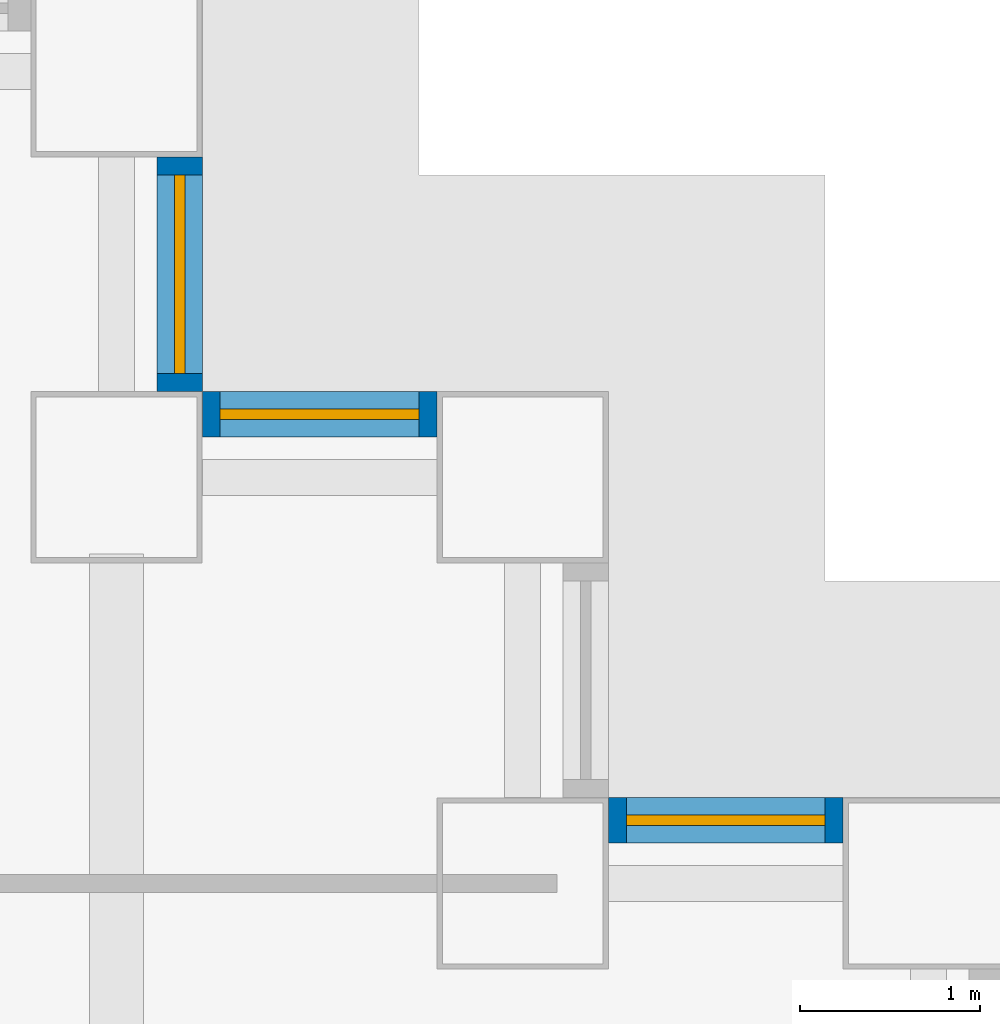
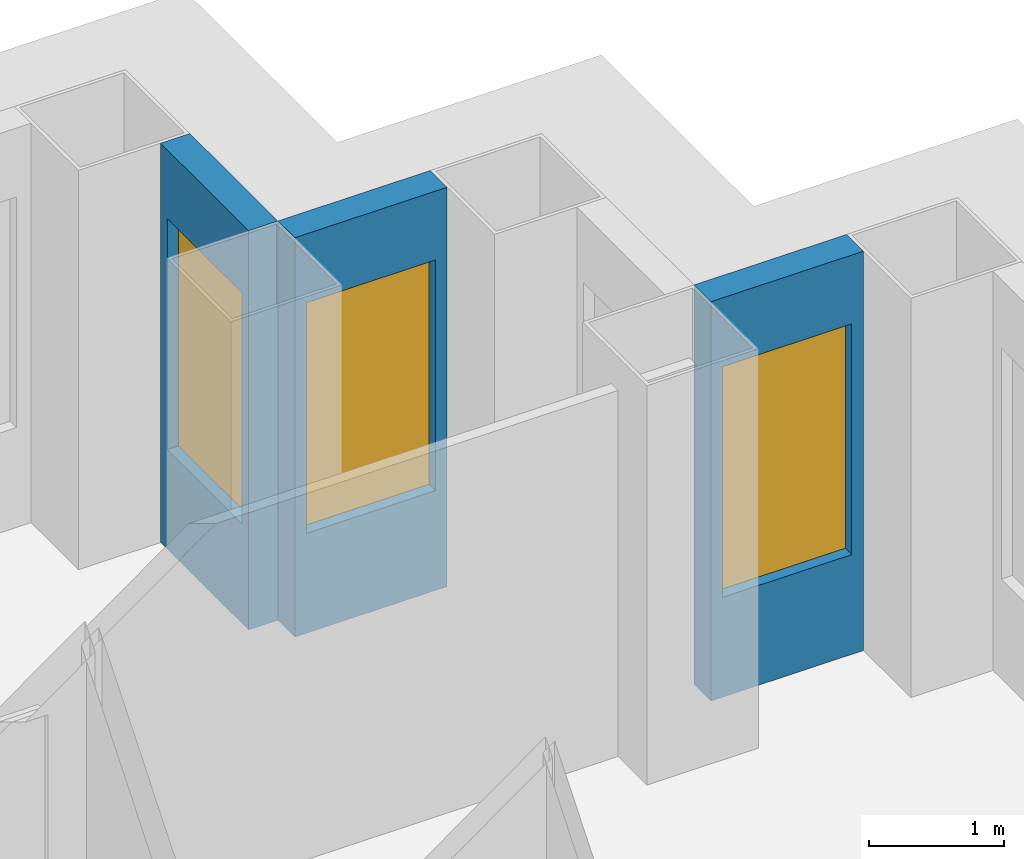
# One storey, part 10 of 15: 3 walls, 3 windows, 3 openings.
"""IFC4 building model written with IfcOpenShell, lengths in metres."""

from ifc_helpers import new_model, si_unit, direction, frame, frame_2d, origin, place, context, subcontext, project, spatial, rectangle, extrude, material, layer, layer_set, type_object, element, fill, save


model = new_model("IFC4")

# Units and contexts
model_context = context("Model", 3, precision=1e-05, world=origin(), true_north=direction((0.0, 1.0)))
body_context = subcontext(model_context, "Body", "Model", "MODEL_VIEW")
ifc_project = project(units=[si_unit("LENGTHUNIT", "METRE"), si_unit("AREAUNIT", "SQUARE_METRE"), si_unit("VOLUMEUNIT", "CUBIC_METRE"), si_unit("PLANEANGLEUNIT", "RADIAN"), si_unit("MASSUNIT", "GRAM", prefix="KILO")], contexts=[model_context])

# Site, building, storey
site_placement = place(None, origin())
site = spatial("IfcSite", under=ifc_project, at=site_placement, CompositionType="ELEMENT")
building_placement = place(site_placement, origin())
building = spatial("IfcBuilding", under=site, at=building_placement, Name="Caravel Reach Hotel and Residences", CompositionType="ELEMENT")
storey_placement = place(building_placement, frame((0.0, 0.0, 78.0)))
storey = spatial("IfcBuildingStorey", under=building, at=storey_placement, Name="L18", CompositionType="ELEMENT", Elevation=78.0)

# Wall, opening, window
ifc_material_1 = material(Name="Insulated rainscreen wall, aluminium cladding", Category="aluminium")
ifc_layer = layer(ifc_material_1, 0.25)
ifc_layer_set = layer_set([ifc_layer], Name="EW1 Tower rainscreen wall")
wall_type = type_object("IfcWallType", Name="EW1 Tower rainscreen wall", PredefinedType="SOLIDWALL", material=ifc_layer_set)
wall_1_placement = place(storey_placement, frame((40.02490234375, 49.85009765625, 0.0), z_axis=(0.0, 0.0, 1.0), x_axis=(-1.0, 0.0, 0.0)))
wall_1 = element("IfcWall", 1, at=wall_1_placement, inside=storey, type_object=wall_type, Name="External wall L18 N31.1", PredefinedType="SOLIDWALL", context=body_context, shape_type="SweptSolid", body=[
    extrude(rectangle(XDim=1.2998046875, YDim=0.25, at=frame_2d((0.64990234375, 0.0))), origin(), (0.0, 0.0, 1.0), 3.60009765625),
])
opening_1_placement = place(wall_1_placement, frame((0.10009765625, 0.0, 0.89990234375)))
opening_1 = element("IfcOpeningElement", 2, at=opening_1_placement, cuts=wall_1, Name="Opening WN5", PredefinedType="OPENING", context=body_context, shape_type="SweptSolid", body=[
    extrude(rectangle(XDim=1.10009765625, YDim=2.080078125, at=frame_2d((0.550048828125, 1.0400390625))), frame((0.0, 0.135009765625, 0.0), z_axis=(0.0, -1.0, 0.0), x_axis=(1.0, 0.0, 0.0)), (0.0, 0.0, 1.0), 0.27001953125),
])
ifc_material_2 = material(Name="Dark low-e glazing in black aluminium frame", Category="aluminium")
window_type = type_object("IfcWindowType", Name="Hotel suite corner window 1100 x 2080", PartitioningType="SINGLE_PANEL", PredefinedType="WINDOW", material=ifc_material_2)
window_1_placement = place(opening_1_placement, origin())
window_1 = element("IfcWindow", 3, at=window_1_placement, inside=storey, type_object=window_type, Name="Window L18 N31.1.1", OverallHeight=2.080078125, OverallWidth=1.10009765625, PartitioningType="SINGLE_PANEL", PredefinedType="WINDOW", context=body_context, shape_type="SweptSolid", body=[
    extrude(rectangle(XDim=1.10009765625, YDim=2.080078125, at=frame_2d((0.550048828125, 1.0400390625))), frame((0.0, 0.030029296875, 0.0), z_axis=(0.0, -1.0, 0.0), x_axis=(1.0, 0.0, 0.0)), (0.0, 0.0, 1.0), 0.06005859375),
])
fill(opening_1, window_1)

wall_2_placement = place(storey_placement, frame((37.77490234375, 52.10009765625, 0.0), z_axis=(0.0, 0.0, 1.0), x_axis=(-1.0, 0.0, 0.0)))
wall_2 = element("IfcWall", 4, at=wall_2_placement, inside=storey, type_object=wall_type, Name="External wall L18 N33.1", PredefinedType="SOLIDWALL", context=body_context, shape_type="SweptSolid", body=[
    extrude(rectangle(XDim=1.2998046875, YDim=0.25, at=frame_2d((0.64990234375, 0.0))), origin(), (0.0, 0.0, 1.0), 3.60009765625),
])
opening_2_placement = place(wall_2_placement, frame((0.10009765625, 0.0, 0.89990234375)))
opening_2 = element("IfcOpeningElement", 5, at=opening_2_placement, cuts=wall_2, Name="Opening WN5", PredefinedType="OPENING", context=body_context, shape_type="SweptSolid", body=[
    extrude(rectangle(XDim=1.10009765625, YDim=2.080078125, at=frame_2d((0.550048828125, 1.0400390625))), frame((0.0, 0.135009765625, 0.0), z_axis=(0.0, -1.0, 0.0), x_axis=(1.0, 0.0, 0.0)), (0.0, 0.0, 1.0), 0.27001953125),
])
window_2_placement = place(opening_2_placement, origin())
window_2 = element("IfcWindow", 6, at=window_2_placement, inside=storey, type_object=window_type, Name="Window L18 N33.1.1", OverallHeight=2.080078125, OverallWidth=1.10009765625, PartitioningType="SINGLE_PANEL", PredefinedType="WINDOW", context=body_context, shape_type="SweptSolid", body=[
    extrude(rectangle(XDim=1.10009765625, YDim=2.080078125, at=frame_2d((0.550048828125, 1.0400390625))), frame((0.0, 0.030029296875, 0.0), z_axis=(0.0, -1.0, 0.0), x_axis=(1.0, 0.0, 0.0)), (0.0, 0.0, 1.0), 0.06005859375),
])
fill(opening_2, window_2)

wall_3_placement = place(storey_placement, frame((36.35009765625, 52.22509765625, 0.0), z_axis=(0.0, 0.0, 1.0), x_axis=(0.0, 1.0, 0.0)))
wall_3 = element("IfcWall", 7, at=wall_3_placement, inside=storey, type_object=wall_type, Name="External wall L18 E34.1", PredefinedType="SOLIDWALL", context=body_context, shape_type="SweptSolid", body=[
    extrude(rectangle(XDim=1.2998046875, YDim=0.25, at=frame_2d((0.64990234375, 0.0))), origin(), (0.0, 0.0, 1.0), 3.60009765625),
])
opening_3_placement = place(wall_3_placement, frame((0.10009765625, 0.0, 0.89990234375)))
opening_3 = element("IfcOpeningElement", 8, at=opening_3_placement, cuts=wall_3, Name="Opening WN5", PredefinedType="OPENING", context=body_context, shape_type="SweptSolid", body=[
    extrude(rectangle(XDim=1.10009765625, YDim=2.080078125, at=frame_2d((0.550048828125, 1.0400390625))), frame((0.0, 0.135009765625, 0.0), z_axis=(0.0, -1.0, 0.0), x_axis=(1.0, 0.0, 0.0)), (0.0, 0.0, 1.0), 0.27001953125),
])
window_3_placement = place(opening_3_placement, origin())
window_3 = element("IfcWindow", 9, at=window_3_placement, inside=storey, type_object=window_type, Name="Window L18 E34.1.1", OverallHeight=2.080078125, OverallWidth=1.10009765625, PartitioningType="SINGLE_PANEL", PredefinedType="WINDOW", context=body_context, shape_type="SweptSolid", body=[
    extrude(rectangle(XDim=1.10009765625, YDim=2.080078125, at=frame_2d((0.550048828125, 1.0400390625))), frame((0.0, 0.030029296875, 0.0), z_axis=(0.0, -1.0, 0.0), x_axis=(1.0, 0.0, 0.0)), (0.0, 0.0, 1.0), 0.06005859375),
])
fill(opening_3, window_3)

save(model, "model.ifc")
